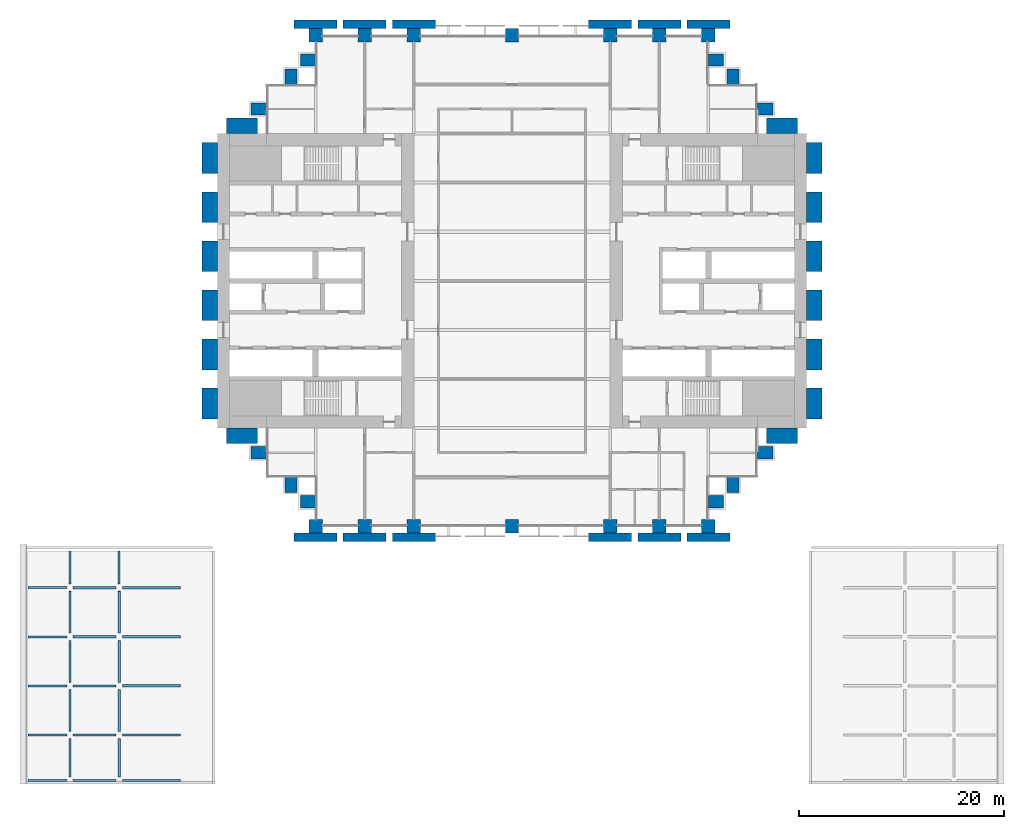
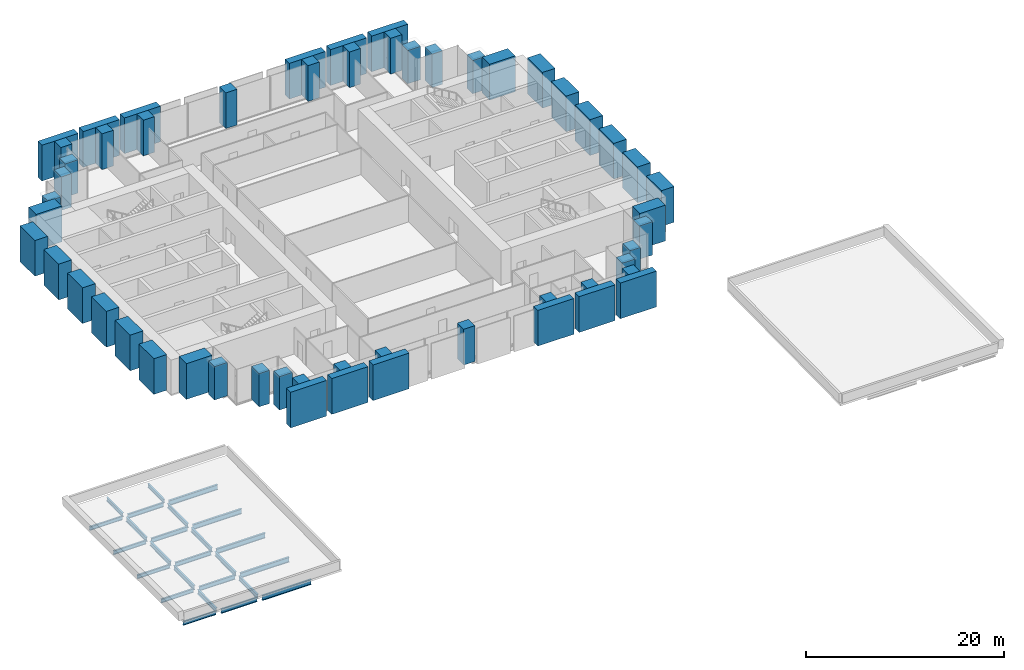
# One storey, part 1 of 14: 54 columns, 25 beams.
"""IFC4 building model written with IfcOpenShell, lengths in metres."""

from ifc_helpers import new_model, si_unit, direction, frame, origin, origin_2d, place, context, subcontext, project, spatial, rectangle, i_section, extrude, material, material_profile, profile_set, type_object, element, save


model = new_model("IFC4")

# Units and contexts
model_context = context("Model", 3, precision=1e-05, world=origin(), true_north=direction((0.0, 1.0)))
body_context = subcontext(model_context, "Body", "Model", "MODEL_VIEW")
ifc_project = project(units=[si_unit("LENGTHUNIT", "METRE"), si_unit("AREAUNIT", "SQUARE_METRE"), si_unit("VOLUMEUNIT", "CUBIC_METRE"), si_unit("PLANEANGLEUNIT", "RADIAN"), si_unit("MASSUNIT", "GRAM", prefix="KILO")], contexts=[model_context])

# Site, building, storey
site_placement = place(None, origin())
site = spatial("IfcSite", under=ifc_project, at=site_placement, CompositionType="ELEMENT")
building_placement = place(site_placement, origin())
building = spatial("IfcBuilding", under=site, at=building_placement, Name="Baori Bourse Tower", CompositionType="ELEMENT")
storey_placement = place(building_placement, frame((0.0, 0.0, 30.199951171875)))
storey = spatial("IfcBuildingStorey", under=building, at=storey_placement, Name="L05", CompositionType="ELEMENT", Elevation=30.199951171875)

# Columns
ifc_material_1 = material(Name="Concrete f'c 60 MPa", Category="concrete")
ifc_material_profile_1 = material_profile(ifc_material_1, rectangle(XDim=1.199951171875, YDim=1.5, at=origin_2d()), Name="RC 1200x1500")
ifc_profile_set_1 = profile_set([ifc_material_profile_1], Name="Concrete f'c 60 MPa")
column_type_1 = type_object("IfcColumnType", Name="FN2 Brick pilaster", PredefinedType="PILASTER", material=ifc_profile_set_1)
for number, where, z_axis, x_axis, name in (
    (1, (53.550048828125, 40.800048828125, 0.0), (0.0, 0.0, 1.0), (0.0, 1.0, 0.0), "Brick pilaster L05 1"),
    (2, (50.39990234375, 43.949951171875, 0.0), (0.0, 0.0, 1.0), (1.0, 0.0, 0.0), "Brick pilaster L05 2"),
    (3, (48.75, 45.60009765625, 0.0), (0.0, 0.0, 1.0), (0.0, 1.0, 0.0), "Brick pilaster L05 3"),
    (4, (8.85009765625, 45.60009765625, 0.0), (0.0, 0.0, 1.0), (0.0, 1.0, 0.0), "Brick pilaster L05 4"),
    (5, (7.199951171875, 43.949951171875, 0.0), (0.0, 0.0, 1.0), (1.0, 0.0, 0.0), "Brick pilaster L05 5"),
    (6, (4.050048828125, 40.800048828125, 0.0), (0.0, 0.0, 1.0), (0.0, 1.0, 0.0), "Brick pilaster L05 6"),
    (7, (4.050048828125, 7.199951171875, 0.0), (0.0, 0.0, 1.0), (0.0, 1.0, 0.0), "Brick pilaster L05 7"),
    (8, (7.199951171875, 4.050048828125, 0.0), (0.0, 0.0, 1.0), (1.0, 0.0, 0.0), "Brick pilaster L05 8"),
    (9, (8.85009765625, 2.39990234375, 0.0), (0.0, 0.0, 1.0), (0.0, 1.0, 0.0), "Brick pilaster L05 9"),
    (10, (48.75, 2.39990234375, 0.0), (0.0, 0.0, 1.0), (0.0, 1.0, 0.0), "Brick pilaster L05 10"),
    (11, (50.39990234375, 4.050048828125, 0.0), (0.0, 0.0, 1.0), (1.0, 0.0, 0.0), "Brick pilaster L05 11"),
    (12, (53.550048828125, 7.199951171875, 0.0), (0.0, 0.0, 1.0), (0.0, 1.0, 0.0), "Brick pilaster L05 12"),
):
    element("IfcColumn", number, at=place(storey_placement, frame(where, z_axis=z_axis, x_axis=x_axis)), inside=storey, type_object=column_type_1, Name=name, PredefinedType="PILASTER", context=body_context, shape_type="SweptSolid", body=[
        extrude(rectangle(XDim=1.199951171875, YDim=1.5, at=origin_2d()), origin(), (0.0, 0.0, 1.0), 4.10009765625),
    ])
ifc_material_2 = material(Name="Concrete f'c 60 MPa", Category="concrete")
ifc_material_profile_2 = material_profile(ifc_material_2, rectangle(XDim=4.199951171875, YDim=0.85009765625, at=origin_2d()), Name="RC 4200x850")
ifc_profile_set_2 = profile_set([ifc_material_profile_2], Name="Concrete f'c 60 MPa")
column_type_2 = type_object("IfcColumnType", Name="FN3 Brick pilaster 4200x850", PredefinedType="PILASTER", material=ifc_profile_set_2)
for number, where, z_axis, x_axis, name in (
    (13, (9.60009765625, -1.074951171875, 0.0), (0.0, 0.0, 1.0), (1.0, 0.0, 0.0), "Brick pilaster L05 29"),
    (14, (14.39990234375, -1.074951171875, 0.0), (0.0, 0.0, 1.0), (1.0, 0.0, 0.0), "Brick pilaster L05 30"),
    (15, (19.199951171875, -1.074951171875, 0.0), (0.0, 0.0, 1.0), (1.0, 0.0, 0.0), "Brick pilaster L05 31"),
    (16, (38.39990234375, -1.074951171875, 0.0), (0.0, 0.0, 1.0), (1.0, 0.0, 0.0), "Brick pilaster L05 32"),
    (17, (43.199951171875, -1.074951171875, 0.0), (0.0, 0.0, 1.0), (1.0, 0.0, 0.0), "Brick pilaster L05 33"),
    (18, (48.0, -1.074951171875, 0.0), (0.0, 0.0, 1.0), (1.0, 0.0, 0.0), "Brick pilaster L05 34"),
    (19, (9.60009765625, 49.074951171875, 0.0), (0.0, 0.0, 1.0), (1.0, 0.0, 0.0), "Brick pilaster L05 35"),
    (20, (14.39990234375, 49.074951171875, 0.0), (0.0, 0.0, 1.0), (1.0, 0.0, 0.0), "Brick pilaster L05 36"),
    (21, (19.199951171875, 49.074951171875, 0.0), (0.0, 0.0, 1.0), (1.0, 0.0, 0.0), "Brick pilaster L05 37"),
    (22, (38.39990234375, 49.074951171875, 0.0), (0.0, 0.0, 1.0), (1.0, 0.0, 0.0), "Brick pilaster L05 38"),
    (23, (43.199951171875, 49.074951171875, 0.0), (0.0, 0.0, 1.0), (1.0, 0.0, 0.0), "Brick pilaster L05 39"),
    (24, (48.0, 49.074951171875, 0.0), (0.0, 0.0, 1.0), (1.0, 0.0, 0.0), "Brick pilaster L05 40"),
):
    element("IfcColumn", number, at=place(storey_placement, frame(where, z_axis=z_axis, x_axis=x_axis)), inside=storey, type_object=column_type_2, Name=name, PredefinedType="PILASTER", context=body_context, shape_type="SweptSolid", body=[
        extrude(rectangle(XDim=4.199951171875, YDim=0.85009765625, at=origin_2d()), origin(), (0.0, 0.0, 1.0), 4.400146484375),
    ])
ifc_material_3 = material(Name="Concrete f'c 60 MPa", Category="concrete")
ifc_material_profile_3 = material_profile(ifc_material_3, rectangle(XDim=3.0, YDim=1.5, at=origin_2d()), Name="RC 3000x1500")
ifc_profile_set_3 = profile_set([ifc_material_profile_3], Name="Concrete f'c 60 MPa")
column_type_3 = type_object("IfcColumnType", Name="FN4 Brick flank pilaster 3000x1500", PredefinedType="PILASTER", material=ifc_profile_set_3)
for number, where, z_axis, x_axis, name in (
    (25, (55.199951171875, 8.85009765625, 0.0), (0.0, 0.0, 1.0), (1.0, 0.0, 0.0), "Brick pilaster L05 13"),
    (26, (58.35009765625, 12.0, 0.0), (0.0, 0.0, 1.0), (0.0, 1.0, 0.0), "Brick pilaster L05 14"),
    (27, (58.35009765625, 16.800048828125, 0.0), (0.0, 0.0, 1.0), (0.0, 1.0, 0.0), "Brick pilaster L05 15"),
    (28, (58.35009765625, 21.60009765625, 0.0), (0.0, 0.0, 1.0), (0.0, 1.0, 0.0), "Brick pilaster L05 16"),
    (29, (58.35009765625, 26.39990234375, 0.0), (0.0, 0.0, 1.0), (0.0, 1.0, 0.0), "Brick pilaster L05 17"),
    (30, (58.35009765625, 31.199951171875, 0.0), (0.0, 0.0, 1.0), (0.0, 1.0, 0.0), "Brick pilaster L05 18"),
    (31, (58.35009765625, 36.0, 0.0), (0.0, 0.0, 1.0), (0.0, 1.0, 0.0), "Brick pilaster L05 19"),
    (32, (55.199951171875, 39.14990234375, 0.0), (0.0, 0.0, 1.0), (1.0, 0.0, 0.0), "Brick pilaster L05 20"),
    (33, (2.39990234375, 39.14990234375, 0.0), (0.0, 0.0, 1.0), (1.0, 0.0, 0.0), "Brick pilaster L05 21"),
    (34, (-0.75, 12.0, 0.0), (0.0, 0.0, 1.0), (0.0, 1.0, 0.0), "Brick pilaster L05 22"),
    (35, (-0.75, 16.800048828125, 0.0), (0.0, 0.0, 1.0), (0.0, 1.0, 0.0), "Brick pilaster L05 23"),
    (36, (-0.75, 21.60009765625, 0.0), (0.0, 0.0, 1.0), (0.0, 1.0, 0.0), "Brick pilaster L05 24"),
    (37, (-0.75, 26.39990234375, 0.0), (0.0, 0.0, 1.0), (0.0, 1.0, 0.0), "Brick pilaster L05 25"),
    (38, (-0.75, 31.199951171875, 0.0), (0.0, 0.0, 1.0), (0.0, 1.0, 0.0), "Brick pilaster L05 26"),
    (39, (-0.75, 36.0, 0.0), (0.0, 0.0, 1.0), (0.0, 1.0, 0.0), "Brick pilaster L05 27"),
    (40, (2.39990234375, 8.85009765625, 0.0), (0.0, 0.0, 1.0), (1.0, 0.0, 0.0), "Brick pilaster L05 28"),
):
    element("IfcColumn", number, at=place(storey_placement, frame(where, z_axis=z_axis, x_axis=x_axis)), inside=storey, type_object=column_type_3, Name=name, PredefinedType="PILASTER", context=body_context, shape_type="SweptSolid", body=[
        extrude(rectangle(XDim=3.0, YDim=1.5, at=origin_2d()), origin(), (0.0, 0.0, 1.0), 4.400146484375),
    ])
ifc_material_4 = material(Name="Concrete f'c 70 MPa", Category="concrete")
ifc_material_profile_4 = material_profile(ifc_material_4, rectangle(XDim=1.300048828125, YDim=1.300048828125, at=origin_2d()), Name="RC 1300x1300")
ifc_profile_set_4 = profile_set([ifc_material_profile_4], Name="Concrete f'c 70 MPa")
column_type_4 = type_object("IfcColumnType", Name="Perimeter column RC 1300x1300", PredefinedType="COLUMN", material=ifc_profile_set_4)
for number, where, z_axis, x_axis, name in (
    (41, (9.60009765625, 0.0, 0.0), (0.0, 0.0, 1.0), (1.0, 0.0, 0.0), "Perimeter column L05"),
    (42, (14.39990234375, 0.0, 0.0), (0.0, 0.0, 1.0), (1.0, 0.0, 0.0), "Perimeter column L05"),
    (43, (19.199951171875, 0.0, 0.0), (0.0, 0.0, 1.0), (1.0, 0.0, 0.0), "Perimeter column L05"),
    (44, (28.800048828125, 0.0, 0.0), (0.0, 0.0, 1.0), (1.0, 0.0, 0.0), "Perimeter column L05"),
    (45, (38.39990234375, 0.0, 0.0), (0.0, 0.0, 1.0), (1.0, 0.0, 0.0), "Perimeter column L05"),
    (46, (43.199951171875, 0.0, 0.0), (0.0, 0.0, 1.0), (1.0, 0.0, 0.0), "Perimeter column L05"),
    (47, (48.0, 0.0, 0.0), (0.0, 0.0, 1.0), (1.0, 0.0, 0.0), "Perimeter column L05"),
    (48, (9.60009765625, 48.0, 0.0), (0.0, 0.0, 1.0), (1.0, 0.0, 0.0), "Perimeter column L05"),
    (49, (14.39990234375, 48.0, 0.0), (0.0, 0.0, 1.0), (1.0, 0.0, 0.0), "Perimeter column L05"),
    (50, (19.199951171875, 48.0, 0.0), (0.0, 0.0, 1.0), (1.0, 0.0, 0.0), "Perimeter column L05"),
    (51, (28.800048828125, 48.0, 0.0), (0.0, 0.0, 1.0), (1.0, 0.0, 0.0), "Perimeter column L05"),
    (52, (38.39990234375, 48.0, 0.0), (0.0, 0.0, 1.0), (1.0, 0.0, 0.0), "Perimeter column L05"),
    (53, (43.199951171875, 48.0, 0.0), (0.0, 0.0, 1.0), (1.0, 0.0, 0.0), "Perimeter column L05"),
    (54, (48.0, 48.0, 0.0), (0.0, 0.0, 1.0), (1.0, 0.0, 0.0), "Perimeter column L05"),
):
    element("IfcColumn", number, at=place(storey_placement, frame(where, z_axis=z_axis, x_axis=x_axis)), inside=storey, type_object=column_type_4, Name=name, PredefinedType="COLUMN", context=body_context, shape_type="SweptSolid", body=[
        extrude(rectangle(XDim=1.300048828125, YDim=1.300048828125, at=origin_2d()), origin(), (0.0, 0.0, 1.0), 4.400146484375),
    ])

# Beams
ifc_material_5 = material(Name="Steel A992 Gr 50", Category="steel")
ifc_material_profile_5 = material_profile(ifc_material_5, i_section(OverallWidth=0.1904296875, OverallDepth=0.457275390625, WebThickness=0.009033203125, FlangeThickness=0.014404296875, at=origin_2d()), Name="W18x50")
ifc_profile_set_5 = profile_set([ifc_material_profile_5], Name="Steel A992 Gr 50")
beam_type_1 = type_object("IfcBeamType", Name="Wing beam W18x50", PredefinedType="BEAM", material=ifc_profile_set_5)
for number, where, z_axis, x_axis, name in (
    (55, (-18.515380859375, -24.85009765625, -0.77392578125), (1.0, 0.0, 0.0), (0.0, 1.0, 0.0), "wing/L05/Wbeam/001"),
    (56, (-18.515380859375, -20.39990234375, -0.71533203125), (1.0, 0.0, 0.0), (0.0, 1.0, 0.0), "wing/L05/Wbeam/004"),
    (57, (-18.515380859375, -15.60009765625, -0.65234375), (1.0, 0.0, 0.0), (0.0, 1.0, 0.0), "wing/L05/Wbeam/007"),
    (58, (-18.515380859375, -10.800048828125, -0.589111328125), (1.0, 0.0, 0.0), (0.0, 1.0, 0.0), "wing/L05/Wbeam/010"),
    (59, (-18.515380859375, -6.0, -0.52587890625), (1.0, 0.0, 0.0), (0.0, 1.0, 0.0), "wing/L05/Wbeam/013"),
):
    element("IfcBeam", number, at=place(storey_placement, frame(where, z_axis=z_axis, x_axis=x_axis)), inside=storey, type_object=beam_type_1, Name=name, PredefinedType="BEAM", context=body_context, shape_type="SweptSolid", body=[
        extrude(i_section(OverallWidth=0.1904296875, OverallDepth=0.457275390625, WebThickness=0.009033203125, FlangeThickness=0.014404296875, at=origin_2d()), origin(), (0.0, 0.0, 1.0), 3.8154296875),
    ])
for number, where, z_axis, x_axis, name in (
    (60, (-14.39990234375, -5.64990234375, -0.521240234375), (0.0, 0.999913602098, 0.013144897864), (-1.0, 0.0, 0.0), "wing/L05/Wbeamy/005"),
    (61, (-9.60009765625, -5.64990234375, -0.521240234375), (0.0, 0.999913602098, 0.013144897864), (-1.0, 0.0, 0.0), "wing/L05/Wbeamy/010"),
):
    element("IfcBeam", number, at=place(storey_placement, frame(where, z_axis=z_axis, x_axis=x_axis)), inside=storey, type_object=beam_type_1, Name=name, PredefinedType="BEAM", context=body_context, shape_type="SweptSolid", body=[
        extrude(i_section(OverallWidth=0.1904296875, OverallDepth=0.457275390625, WebThickness=0.009033203125, FlangeThickness=0.014404296875, at=origin_2d()), origin(), (0.0, 0.0, 1.0), 3.250244140625),
    ])
ifc_material_6 = material(Name="Steel A992 Gr 50", Category="steel")
ifc_material_profile_6 = material_profile(ifc_material_6, i_section(OverallWidth=0.209228515625, OverallDepth=0.533447265625, WebThickness=0.01025390625, FlangeThickness=0.015625, at=origin_2d()), Name="W21x62")
ifc_profile_set_6 = profile_set([ifc_material_profile_6], Name="Steel A992 Gr 50")
beam_type_2 = type_object("IfcBeamType", Name="Wing beam W21x62", PredefinedType="BEAM", material=ifc_profile_set_6)
for number, where, z_axis, x_axis, name in (
    (62, (-14.10009765625, -24.85009765625, -0.81201171875), (1.0, 0.0, 0.0), (0.0, 1.0, 0.0), "wing/L05/Wbeam/002"),
    (63, (-14.10009765625, -20.39990234375, -0.75341796875), (1.0, 0.0, 0.0), (0.0, 1.0, 0.0), "wing/L05/Wbeam/005"),
    (64, (-14.10009765625, -15.60009765625, -0.6904296875), (1.0, 0.0, 0.0), (0.0, 1.0, 0.0), "wing/L05/Wbeam/008"),
    (65, (-14.10009765625, -10.800048828125, -0.627197265625), (1.0, 0.0, 0.0), (0.0, 1.0, 0.0), "wing/L05/Wbeam/011"),
    (66, (-14.10009765625, -6.0, -0.56396484375), (1.0, 0.0, 0.0), (0.0, 1.0, 0.0), "wing/L05/Wbeam/014"),
):
    element("IfcBeam", number, at=place(storey_placement, frame(where, z_axis=z_axis, x_axis=x_axis)), inside=storey, type_object=beam_type_2, Name=name, PredefinedType="BEAM", context=body_context, shape_type="SweptSolid", body=[
        extrude(i_section(OverallWidth=0.209228515625, OverallDepth=0.533447265625, WebThickness=0.01025390625, FlangeThickness=0.015625, at=origin_2d()), origin(), (0.0, 0.0, 1.0), 4.2001953125),
    ])
beam_1_placement = place(storey_placement, frame((-14.39990234375, -24.5, -0.807373046875), z_axis=(0.0, 0.999913536267, 0.013149904579), x_axis=(-1.0, 0.0, 0.0)))
element("IfcBeam", 67, at=beam_1_placement, inside=storey, type_object=beam_type_2, Name="wing/L05/Wbeamy/001", PredefinedType="BEAM", context=body_context, shape_type="SweptSolid", body=[
    extrude(i_section(OverallWidth=0.209228515625, OverallDepth=0.533447265625, WebThickness=0.01025390625, FlangeThickness=0.015625, at=origin_2d()), origin(), (0.0, 0.0, 1.0), 3.750244140625),
])
for number, where, z_axis, x_axis, name in (
    (68, (-14.39990234375, -20.050048828125, -0.748779296875), (0.0, 0.999913425528, 0.013158322439), (-1.0, 0.0, 0.0), "wing/L05/Wbeamy/002"),
    (69, (-14.39990234375, -15.25, -0.685791015625), (0.0, 0.999913425528, 0.013158322439), (-1.0, 0.0, 0.0), "wing/L05/Wbeamy/003"),
):
    element("IfcBeam", number, at=place(storey_placement, frame(where, z_axis=z_axis, x_axis=x_axis)), inside=storey, type_object=beam_type_2, Name=name, PredefinedType="BEAM", context=body_context, shape_type="SweptSolid", body=[
        extrude(i_section(OverallWidth=0.209228515625, OverallDepth=0.533447265625, WebThickness=0.01025390625, FlangeThickness=0.015625, at=origin_2d()), origin(), (0.0, 0.0, 1.0), 4.100341796875),
    ])
beam_2_placement = place(storey_placement, frame((-14.39990234375, -10.449951171875, -0.62255859375), z_axis=(0.0, 0.999913415218, 0.013159105863), x_axis=(-1.0, 0.0, 0.0)))
element("IfcBeam", 70, at=beam_2_placement, inside=storey, type_object=beam_type_2, Name="wing/L05/Wbeamy/004", PredefinedType="BEAM", context=body_context, shape_type="SweptSolid", body=[
    extrude(i_section(OverallWidth=0.209228515625, OverallDepth=0.533447265625, WebThickness=0.01025390625, FlangeThickness=0.015625, at=origin_2d()), origin(), (0.0, 0.0, 1.0), 4.10009765625),
])
beam_3_placement = place(storey_placement, frame((-9.60009765625, -24.5, -0.807373046875), z_axis=(0.0, 0.999913536267, 0.013149904579), x_axis=(-1.0, 0.0, 0.0)))
element("IfcBeam", 71, at=beam_3_placement, inside=storey, type_object=beam_type_2, Name="wing/L05/Wbeamy/006", PredefinedType="BEAM", context=body_context, shape_type="SweptSolid", body=[
    extrude(i_section(OverallWidth=0.209228515625, OverallDepth=0.533447265625, WebThickness=0.01025390625, FlangeThickness=0.015625, at=origin_2d()), origin(), (0.0, 0.0, 1.0), 3.750244140625),
])
for number, where, z_axis, x_axis, name in (
    (72, (-9.60009765625, -20.050048828125, -0.748779296875), (0.0, 0.999913425528, 0.013158322439), (-1.0, 0.0, 0.0), "wing/L05/Wbeamy/007"),
    (73, (-9.60009765625, -15.25, -0.685791015625), (0.0, 0.999913425528, 0.013158322439), (-1.0, 0.0, 0.0), "wing/L05/Wbeamy/008"),
):
    element("IfcBeam", number, at=place(storey_placement, frame(where, z_axis=z_axis, x_axis=x_axis)), inside=storey, type_object=beam_type_2, Name=name, PredefinedType="BEAM", context=body_context, shape_type="SweptSolid", body=[
        extrude(i_section(OverallWidth=0.209228515625, OverallDepth=0.533447265625, WebThickness=0.01025390625, FlangeThickness=0.015625, at=origin_2d()), origin(), (0.0, 0.0, 1.0), 4.100341796875),
    ])
beam_4_placement = place(storey_placement, frame((-9.60009765625, -10.449951171875, -0.62255859375), z_axis=(0.0, 0.999913415218, 0.013159105863), x_axis=(-1.0, 0.0, 0.0)))
element("IfcBeam", 74, at=beam_4_placement, inside=storey, type_object=beam_type_2, Name="wing/L05/Wbeamy/009", PredefinedType="BEAM", context=body_context, shape_type="SweptSolid", body=[
    extrude(i_section(OverallWidth=0.209228515625, OverallDepth=0.533447265625, WebThickness=0.01025390625, FlangeThickness=0.015625, at=origin_2d()), origin(), (0.0, 0.0, 1.0), 4.10009765625),
])
ifc_material_7 = material(Name="Steel A992 Gr 50", Category="steel")
ifc_material_profile_7 = material_profile(ifc_material_7, i_section(OverallWidth=0.22900390625, OverallDepth=0.612060546875, WebThickness=0.011962890625, FlangeThickness=0.01953125, at=origin_2d()), Name="W24x84")
ifc_profile_set_7 = profile_set([ifc_material_profile_7], Name="Steel A992 Gr 50")
beam_type_3 = type_object("IfcBeamType", Name="Wing beam W24x84", PredefinedType="BEAM", material=ifc_profile_set_7)
for number, where, z_axis, x_axis, name in (
    (75, (-9.300048828125, -24.85009765625, -0.851318359375), (1.0, 0.0, 0.0), (0.0, 1.0, 0.0), "wing/L05/Wbeam/003"),
    (76, (-9.300048828125, -20.39990234375, -0.79296875), (1.0, 0.0, 0.0), (0.0, 1.0, 0.0), "wing/L05/Wbeam/006"),
    (77, (-9.300048828125, -15.60009765625, -0.729736328125), (1.0, 0.0, 0.0), (0.0, 1.0, 0.0), "wing/L05/Wbeam/009"),
    (78, (-9.300048828125, -10.800048828125, -0.66650390625), (1.0, 0.0, 0.0), (0.0, 1.0, 0.0), "wing/L05/Wbeam/012"),
    (79, (-9.300048828125, -6.0, -0.603271484375), (1.0, 0.0, 0.0), (0.0, 1.0, 0.0), "wing/L05/Wbeam/015"),
):
    element("IfcBeam", number, at=place(storey_placement, frame(where, z_axis=z_axis, x_axis=x_axis)), inside=storey, type_object=beam_type_3, Name=name, PredefinedType="BEAM", context=body_context, shape_type="SweptSolid", body=[
        extrude(i_section(OverallWidth=0.22900390625, OverallDepth=0.612060546875, WebThickness=0.011962890625, FlangeThickness=0.01953125, at=origin_2d()), origin(), (0.0, 0.0, 1.0), 5.699951171875),
    ])

save(model, "model.ifc")
